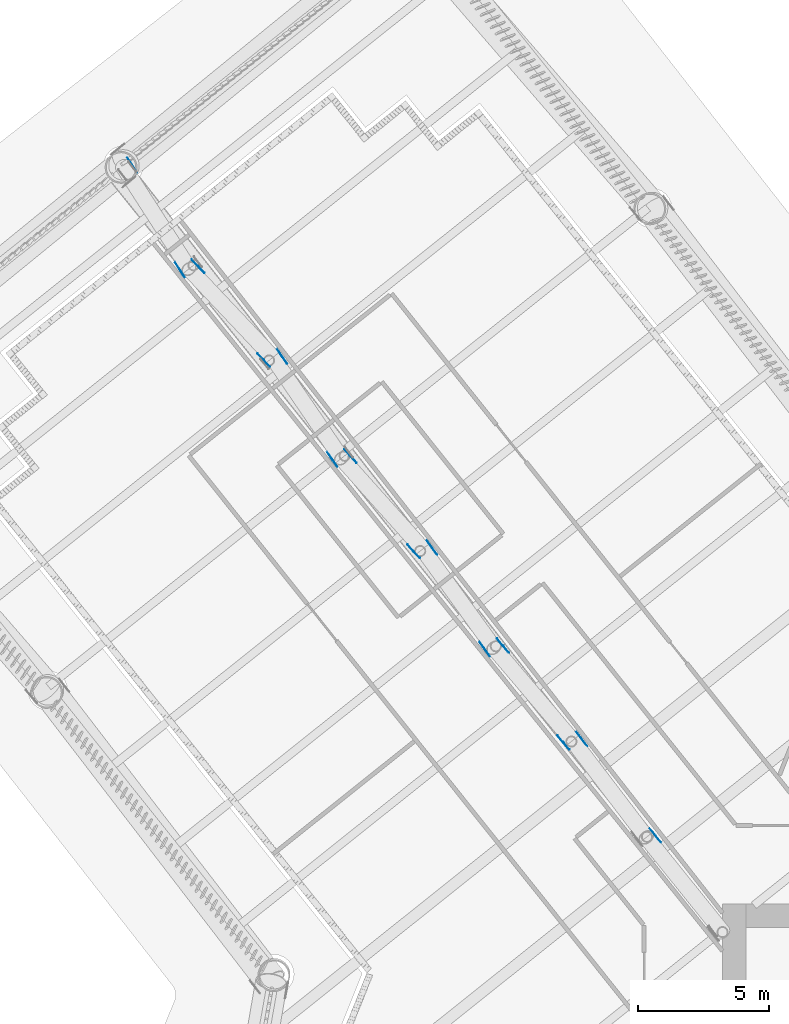
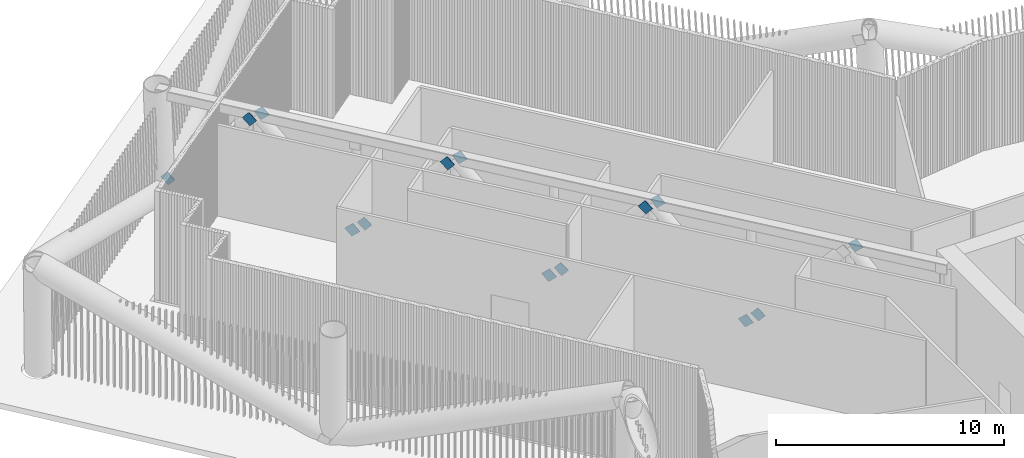
# One storey, part 21 of 48: 14 discrete accessories.
"""IFC4 building model written with IfcOpenShell, lengths in metres."""

from ifc_helpers import new_model, si_unit, direction, frame, origin, origin_2d, place, context, subcontext, project, spatial, rectangle, extrude, material, material_profile, profile_set, type_object, element, save


model = new_model("IFC4")

# Units and contexts
model_context = context("Model", 3, precision=1e-05, world=origin(), true_north=direction((0.0, 1.0)))
body_context = subcontext(model_context, "Body", "Model", "MODEL_VIEW")
ifc_project = project(units=[si_unit("LENGTHUNIT", "METRE"), si_unit("AREAUNIT", "SQUARE_METRE"), si_unit("VOLUMEUNIT", "CUBIC_METRE"), si_unit("PLANEANGLEUNIT", "RADIAN"), si_unit("MASSUNIT", "GRAM", prefix="KILO")], contexts=[model_context])

# Site, building, storey
site_placement = place(None, origin())
site = spatial("IfcSite", under=ifc_project, at=site_placement, CompositionType="ELEMENT")
building_placement = place(site_placement, origin())
building = spatial("IfcBuilding", under=site, at=building_placement, Name="Tarsis Ring Headquarters", CompositionType="ELEMENT")
storey_placement = place(building_placement, frame((0.0, 0.0, 34.0)))
storey = spatial("IfcBuildingStorey", under=building, at=storey_placement, Name="L06", CompositionType="ELEMENT", Elevation=34.0)

# Discrete accessories
ifc_material = material(Name="Structural steel S355", Category="steel")
ifc_material_profile = material_profile(ifc_material, rectangle(XDim=0.02490234375, YDim=0.5, at=origin_2d()), Name="PL 25x500")
ifc_profile_set = profile_set([ifc_material_profile], Name="Structural steel S355")
discrete_accessory_type = type_object("IfcDiscreteAccessoryType", Name="Gusset plate Outrigger 25", PredefinedType="BRACKET", material=ifc_profile_set)
for number, where, z_axis, x_axis, name in (
    (1, (-12.67041015625, 15.742431640625, 5.5859375), (0.412193113377, -0.512799489391, -0.753082678705), (0.779418314161, 0.626503863954, 0.0), "Gusset plate GP1"),
    (2, (-15.4873046875, 19.441162109375, 0.25390625), (0.39836223787, -0.523338626221, 0.753275653227), (0.795704263552, 0.605685334943, 0.0), "Gusset plate GP1"),
    (3, (-15.981689453125, 19.043701171875, 0.25390625), (-0.425697119702, 0.501365759099, 0.753269100574), (-0.762287169508, -0.647238959894, 0.0), "Gusset plate GP1"),
    (4, (-18.51123046875, 23.00537109375, 5.5859375), (0.425749378133, -0.501915551285, -0.752873326927), (0.762597846399, 0.646872881382, 0.0), "Gusset plate GP1"),
    (5, (-19.010498046875, 22.614501953125, 5.5859375), (-0.384850186923, 0.534297086922, -0.752606774174), (-0.81142178155, -0.584461027295, 0.0), "Gusset plate GP1"),
    (6, (-21.22216796875, 26.76806640625, 0.25390625), (0.384708761738, -0.534100742819, 0.752818414468), (0.81142178155, 0.584461027295, 0.0), "Gusset plate GP1"),
    (7, (-21.716064453125, 26.370849609375, 0.25390625), (-0.438876644173, 0.490624057168, 0.752778404132), (-0.745318892384, -0.666708143535, 0.0), "Gusset plate GP1"),
    (8, (-24.35205078125, 30.26806640625, 5.5859375), (0.438876644173, -0.490624057168, -0.752778404132), (0.745318892384, 0.666708143535, 0.0), "Gusset plate GP1"),
    (9, (-24.8505859375, 29.877685546875, 5.5859375), (-0.371176900807, 0.544555584737, -0.752121614793), (-0.826305728464, -0.563221841823, 0.0), "Gusset plate GP1"),
    (10, (-26.95703125, 34.0947265625, 0.25390625), (0.371040587564, -0.54435559886, 0.752333612415), (0.826305728464, 0.563221841823, 0.0), "Gusset plate GP1"),
):
    element("IfcDiscreteAccessory", number, at=place(storey_placement, frame(where, z_axis=z_axis, x_axis=x_axis)), inside=storey, type_object=discrete_accessory_type, Name=name, PredefinedType="BRACKET", context=body_context, shape_type="SweptSolid", body=[
        extrude(rectangle(XDim=0.02490234375, YDim=0.5, at=origin_2d()), origin(), (0.0, 0.0, 1.0), 0.5),
    ])
discrete_accessory_1_placement = place(storey_placement, frame((-27.4501953125, 33.6982421875, 0.25390625), z_axis=(-0.452031142218, 0.479367798767, 0.752246209675), x_axis=(-0.727547141814, -0.686057691771, 0.0)))
element("IfcDiscreteAccessory", 11, at=discrete_accessory_1_placement, inside=storey, type_object=discrete_accessory_type, Name="Gusset plate GP1", PredefinedType="BRACKET", context=body_context, shape_type="SweptSolid", body=[
    extrude(rectangle(XDim=0.02490234375, YDim=0.5, at=origin_2d()), origin(), (0.0, 0.0, 1.0), 0.500244140625),
])
discrete_accessory_2_placement = place(storey_placement, frame((-30.19287109375, 37.530517578125, 5.5859375), z_axis=(0.45230304891, -0.479167700844, -0.752210254128), x_axis=(0.727198144466, 0.686427606296, 0.0)))
element("IfcDiscreteAccessory", 12, at=discrete_accessory_2_placement, inside=storey, type_object=discrete_accessory_type, Name="Gusset plate GP1", PredefinedType="BRACKET", context=body_context, shape_type="SweptSolid", body=[
    extrude(rectangle(XDim=0.02490234375, YDim=0.5, at=origin_2d()), origin(), (0.0, 0.0, 1.0), 0.499755859375),
])
for number, where, z_axis, x_axis, name in (
    (13, (-30.6904296875, 37.14111328125, 5.5859375), (-0.357398996697, 0.554651994873, -0.751416743055), (-0.84060098357, -0.541654859132, 0.0), "Gusset plate GP1"),
    (14, (-32.6923828125, 41.42138671875, 0.25390625), (0.357398996697, -0.554651994873, 0.751416743055), (0.84060098357, 0.541654859132, 0.0), "Gusset plate GP1"),
):
    element("IfcDiscreteAccessory", number, at=place(storey_placement, frame(where, z_axis=z_axis, x_axis=x_axis)), inside=storey, type_object=discrete_accessory_type, Name=name, PredefinedType="BRACKET", context=body_context, shape_type="SweptSolid", body=[
        extrude(rectangle(XDim=0.02490234375, YDim=0.5, at=origin_2d()), origin(), (0.0, 0.0, 1.0), 0.5),
    ])

save(model, "model.ifc")
